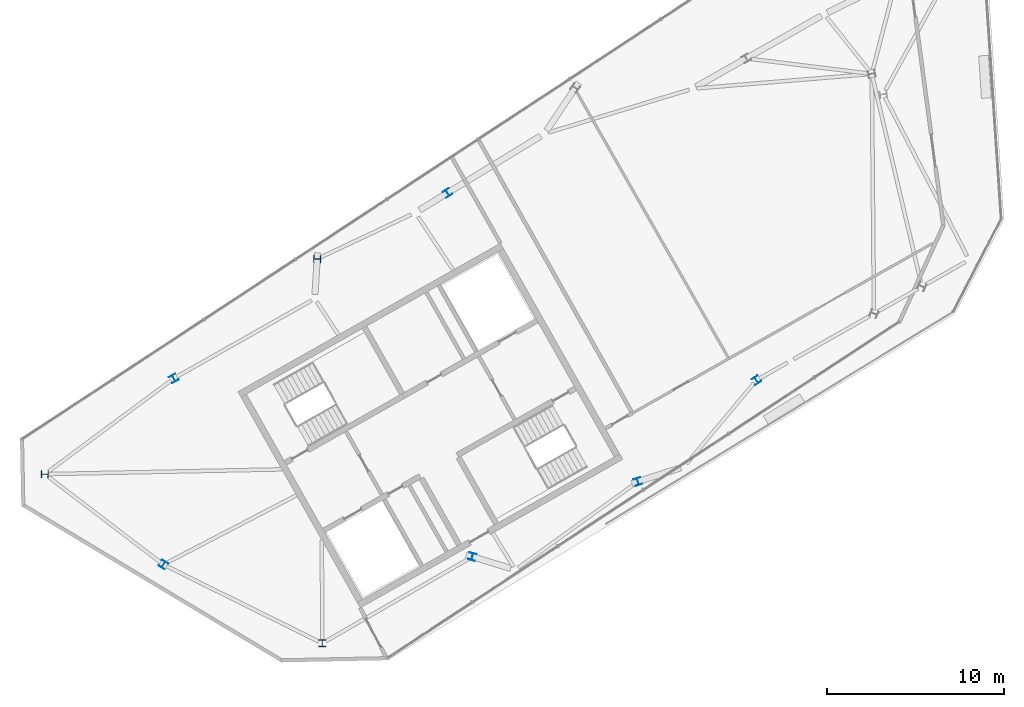
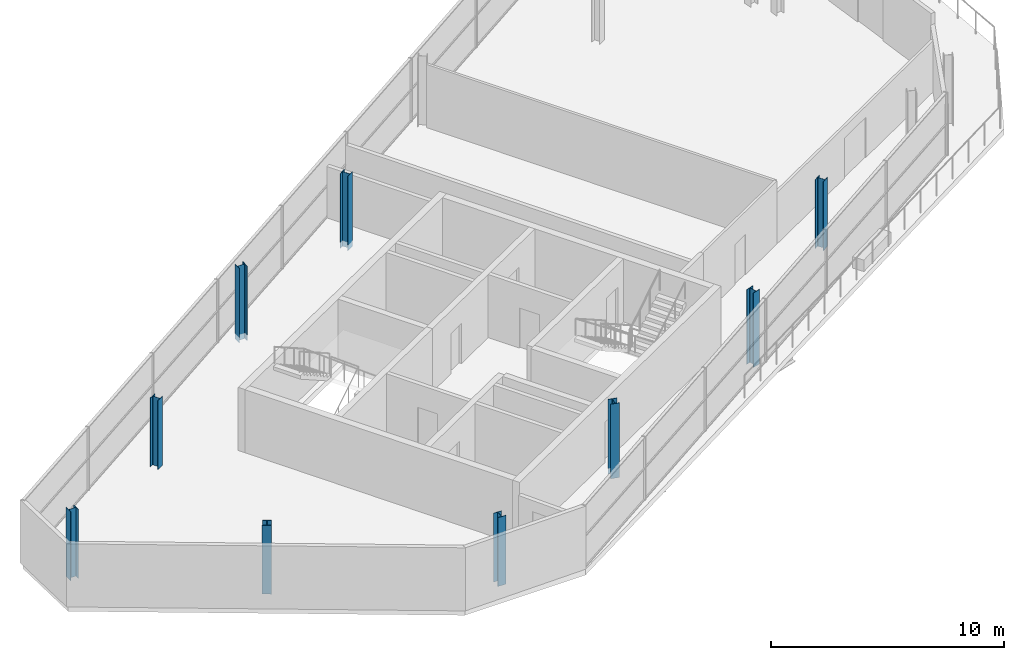
# One storey, part 1 of 10: 9 columns.
"""IFC4 building model written with IfcOpenShell, lengths in metres."""

from ifc_helpers import new_model, si_unit, direction, frame, origin, origin_2d, place, context, subcontext, project, spatial, i_section, extrude, material, material_profile, profile_set, type_object, element, save


model = new_model("IFC4")

# Units and contexts
model_context = context("Model", 3, precision=1e-05, world=origin(), true_north=direction((0.0, 1.0)))
body_context = subcontext(model_context, "Body", "Model", "MODEL_VIEW")
ifc_project = project(units=[si_unit("LENGTHUNIT", "METRE"), si_unit("AREAUNIT", "SQUARE_METRE"), si_unit("VOLUMEUNIT", "CUBIC_METRE"), si_unit("PLANEANGLEUNIT", "RADIAN"), si_unit("MASSUNIT", "GRAM", prefix="KILO")], contexts=[model_context])

# Site, building, storey
site_placement = place(None, origin())
site = spatial("IfcSite", under=ifc_project, at=site_placement, CompositionType="ELEMENT")
building_placement = place(site_placement, origin())
building = spatial("IfcBuilding", under=site, at=building_placement, Name="Binnacle Exchange Tower", CompositionType="ELEMENT")
storey_placement = place(building_placement, frame((0.0, 0.0, 354.10009765625)))
storey = spatial("IfcBuildingStorey", under=building, at=storey_placement, Name="L81", CompositionType="ELEMENT", Elevation=354.10009765625)

# Columns
ifc_material = material(Name="Steel S355 (SHN355)", Category="steel")
ifc_material_profile = material_profile(ifc_material, i_section(OverallWidth=0.39990234375, OverallDepth=0.39990234375, WebThickness=0.012939453125, FlangeThickness=0.02099609375, FilletRadius=0.02197265625, at=origin_2d()), Name="H 400x400x13x21")
ifc_profile_set = profile_set([ifc_material_profile], Name="Steel S355 (SHN355)")
column_type = type_object("IfcColumnType", Name="H 400x400x13x21", PredefinedType="COLUMN", material=ifc_profile_set)
for number, where, z_axis, x_axis, name in (
    (1, (-50.226318359375, 42.4228515625, 0.0), (0.0, 0.0, 1.0), (-0.87035569594, -0.492423560103, 0.0), "S:COL:MC04:L81"),
    (2, (-57.492919921875, 37.02734375, 0.0), (0.0, 0.0, 1.0), (-0.013089595571, -0.999914327574, 0.0), "S:COL:MC02:L81"),
    (3, (-50.81201171875, 31.930908203125, 0.0), (0.0, 0.0, 1.0), (0.857167300702, -0.51503807491, 0.0), "S:COL:MC01:L81"),
    (4, (-41.857666015625, 27.494873046875, 0.0), (0.0, 0.0, 1.0), (0.999914327574, -0.013089595571, 0.0), "S:COL:MC03:L81"),
):
    element("IfcColumn", number, at=place(storey_placement, frame(where, z_axis=z_axis, x_axis=x_axis)), inside=storey, type_object=column_type, Name=name, PredefinedType="COLUMN", context=body_context, shape_type="SweptSolid", body=[
        extrude(i_section(OverallWidth=0.39990234375, OverallDepth=0.39990234375, WebThickness=0.012939453125, FlangeThickness=0.02099609375, FilletRadius=0.02197265625, at=origin_2d()), origin(), (0.0, 0.0, 1.0), 3.599853515625),
    ])
for number, where, z_axis, x_axis, name in (
    (5, (-34.798095703125, 52.87548828125, -0.300048828125), (0.0, 0.0, 1.0), (0.85345985094, 0.521158596622, 0.0), "S:COL:MC15:L81"),
    (6, (-42.144287109375, 49.15283203125, -0.300048828125), (0.0, 0.0, 1.0), (0.017539659542, 0.999846168339, 0.0), "S:COL:MC10:L81"),
    (7, (-33.39990234375, 32.37353515625, -0.300048828125), (0.0, 0.0, 1.0), (-0.971092633177, 0.238702948851, 0.0), "S:COL:MC06:L81"),
    (8, (-24.064697265625, 36.607421875, -0.300048828125), (0.0, 0.0, 1.0), (-0.951749849145, -0.306874933241, 0.0), "S:COL:MC14:L81"),
):
    element("IfcColumn", number, at=place(storey_placement, frame(where, z_axis=z_axis, x_axis=x_axis)), inside=storey, type_object=column_type, Name=name, PredefinedType="COLUMN", context=body_context, shape_type="SweptSolid", body=[
        extrude(i_section(OverallWidth=0.39990234375, OverallDepth=0.39990234375, WebThickness=0.012939453125, FlangeThickness=0.02099609375, FilletRadius=0.02197265625, at=origin_2d()), origin(), (0.0, 0.0, 1.0), 3.89990234375),
    ])
column_placement = place(storey_placement, frame((-17.382080078125, 42.323974609375, 0.0), z_axis=(0.0, 0.0, 1.0), x_axis=(0.835615665335, 0.549314536351, 0.0)))
element("IfcColumn", 9, at=column_placement, inside=storey, type_object=column_type, Name="S:COL:MC23:L81", PredefinedType="COLUMN", context=body_context, shape_type="SweptSolid", body=[
    extrude(i_section(OverallWidth=0.39990234375, OverallDepth=0.39990234375, WebThickness=0.012939453125, FlangeThickness=0.02099609375, FilletRadius=0.02197265625, at=origin_2d()), origin(), (0.0, 0.0, 1.0), 3.599853515625),
])

save(model, "model.ifc")
